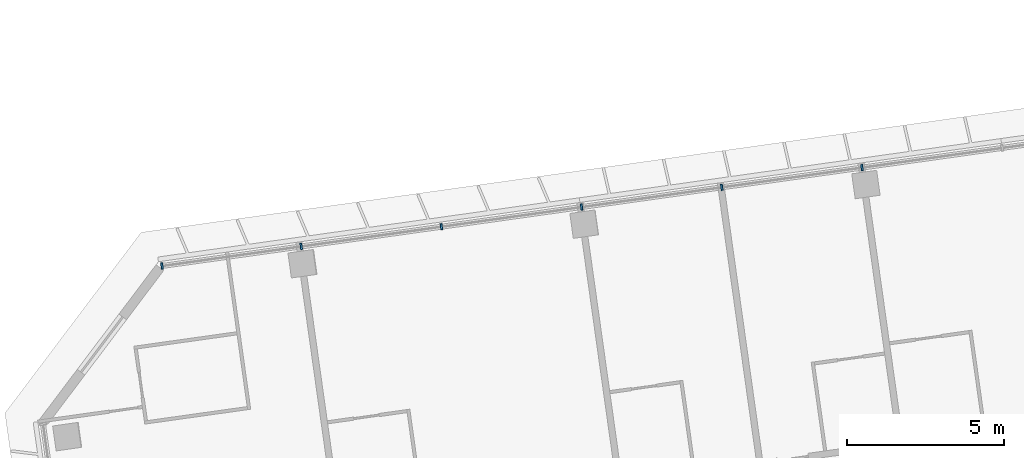
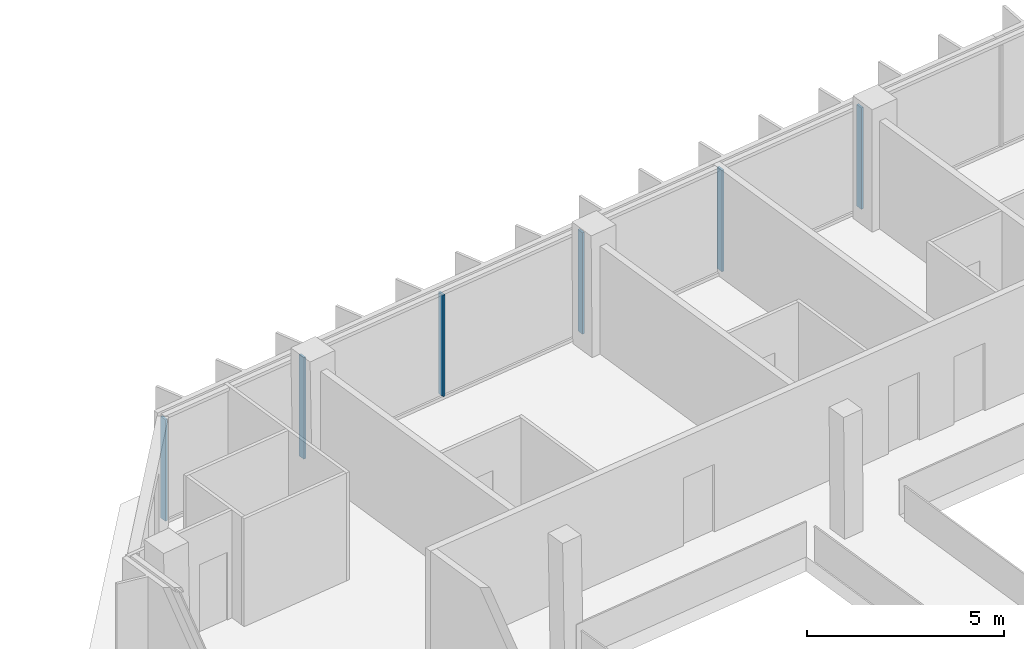
# One storey, part 11 of 26: 6 members, 1 element without a shape of its own.
"""IFC4 building model written with IfcOpenShell, lengths in metres."""

from ifc_helpers import new_model, si_unit, direction, frame, origin, origin_2d, place, context, subcontext, project, spatial, rectangle, extrude, material, material_profile, profile_set, type_object, element, aggregate, save


model = new_model("IFC4")

# Units and contexts
model_context = context("Model", 3, precision=1e-05, world=origin(), true_north=direction((0.0, 1.0)))
body_context = subcontext(model_context, "Body", "Model", "MODEL_VIEW")
ifc_project = project(units=[si_unit("LENGTHUNIT", "METRE"), si_unit("AREAUNIT", "SQUARE_METRE"), si_unit("VOLUMEUNIT", "CUBIC_METRE"), si_unit("PLANEANGLEUNIT", "RADIAN"), si_unit("MASSUNIT", "GRAM", prefix="KILO")], contexts=[model_context])

# Site, building, storey
site_placement = place(None, origin())
site = spatial("IfcSite", under=ifc_project, at=site_placement, CompositionType="ELEMENT")
building_placement = place(site_placement, origin())
building = spatial("IfcBuilding", under=site, at=building_placement, Name="Mirante Cascada Hotel Towers", CompositionType="ELEMENT")
storey_placement = place(building_placement, frame((0.0, 0.0, 161.2)))
storey = spatial("IfcBuildingStorey", under=building, at=storey_placement, Name="L37", CompositionType="ELEMENT", Elevation=161.2)

# Curtain wall, members
ifc_material_1 = material(Name="Aluminium mullion and transom frame with clear laminated glass", Category="aluminium")
curtain_wall_type = type_object("IfcCurtainWallType", Name="Ribbon curtain wall ECW1", PredefinedType="NOTDEFINED", material=ifc_material_1)
curtain_wall_placement = place(storey_placement, origin())
curtain_wall = element("IfcCurtainWall", 1, at=curtain_wall_placement, inside=storey, type_object=curtain_wall_type, Name="Front ribbon wall T2 L37", PredefinedType="NOTDEFINED")
ifc_material_2 = material(Name="Anodised aluminium extrusion", Category="aluminium")
ifc_material_profile = material_profile(ifc_material_2, rectangle(XDim=0.2, YDim=0.065, at=origin_2d()), Name="ECW1 MULLION 65x200")
ifc_profile_set = profile_set([ifc_material_profile], Name="Anodised aluminium extrusion")
member_type = type_object("IfcMemberType", Name="ECW1 mullion 65x200", PredefinedType="MULLION", material=ifc_profile_set)
member_1_placement = place(storey_placement, frame((54.065, 20.4174, 0.1), z_axis=(0.0, 0.0, 1.0), x_axis=(0.1391731, -0.9902681, 0.0)))
member_1 = element("IfcMember", 2, at=member_1_placement, type_object=member_type, Name="ECW1 mullion 8", PredefinedType="MULLION", context=body_context, shape_type="SweptSolid", body=[
    extrude(rectangle(XDim=0.2, YDim=0.065, at=origin_2d()), origin(), (0.0, 0.0, 1.0), 3.15),
])
member_2_placement = place(storey_placement, frame((49.6107, 19.7913, 0.1), z_axis=(0.0, 0.0, 1.0), x_axis=(0.1391731, -0.9902681, 0.0)))
member_2 = element("IfcMember", 3, at=member_2_placement, type_object=member_type, Name="ECW1 mullion 9", PredefinedType="MULLION", context=body_context, shape_type="SweptSolid", body=[
    extrude(rectangle(XDim=0.2, YDim=0.065, at=origin_2d()), origin(), (0.0, 0.0, 1.0), 3.15),
])
member_3_placement = place(storey_placement, frame((45.1563, 19.1653, 0.1), z_axis=(0.0, 0.0, 1.0), x_axis=(0.1391731, -0.9902681, 0.0)))
member_3 = element("IfcMember", 4, at=member_3_placement, type_object=member_type, Name="ECW1 mullion 10", PredefinedType="MULLION", context=body_context, shape_type="SweptSolid", body=[
    extrude(rectangle(XDim=0.2, YDim=0.065, at=origin_2d()), origin(), (0.0, 0.0, 1.0), 3.15),
])
member_4_placement = place(storey_placement, frame((40.7019, 18.5393, 0.1), z_axis=(0.0, 0.0, 1.0), x_axis=(0.1391731, -0.9902681, 0.0)))
member_4 = element("IfcMember", 5, at=member_4_placement, type_object=member_type, Name="ECW1 mullion 11", PredefinedType="MULLION", context=body_context, shape_type="SweptSolid", body=[
    extrude(rectangle(XDim=0.2, YDim=0.065, at=origin_2d()), origin(), (0.0, 0.0, 1.0), 3.15),
])
member_5_placement = place(storey_placement, frame((36.2475, 17.9133, 0.1), z_axis=(0.0, 0.0, 1.0), x_axis=(0.1391731, -0.9902681, 0.0)))
member_5 = element("IfcMember", 6, at=member_5_placement, type_object=member_type, Name="ECW1 mullion 12", PredefinedType="MULLION", context=body_context, shape_type="SweptSolid", body=[
    extrude(rectangle(XDim=0.2, YDim=0.065, at=origin_2d()), origin(), (0.0, 0.0, 1.0), 3.15),
])
member_6_placement = place(storey_placement, frame((31.8253, 17.2918, 0.1), z_axis=(0.0, 0.0, 1.0), x_axis=(0.1391731, -0.9902681, 0.0)))
member_6 = element("IfcMember", 7, at=member_6_placement, type_object=member_type, Name="ECW1 mullion 13", PredefinedType="MULLION", context=body_context, shape_type="SweptSolid", body=[
    extrude(rectangle(XDim=0.2, YDim=0.065, at=origin_2d()), origin(), (0.0, 0.0, 1.0), 3.15),
])
aggregate(curtain_wall, [member_1, member_2, member_3, member_4, member_5, member_6])

save(model, "model.ifc")
